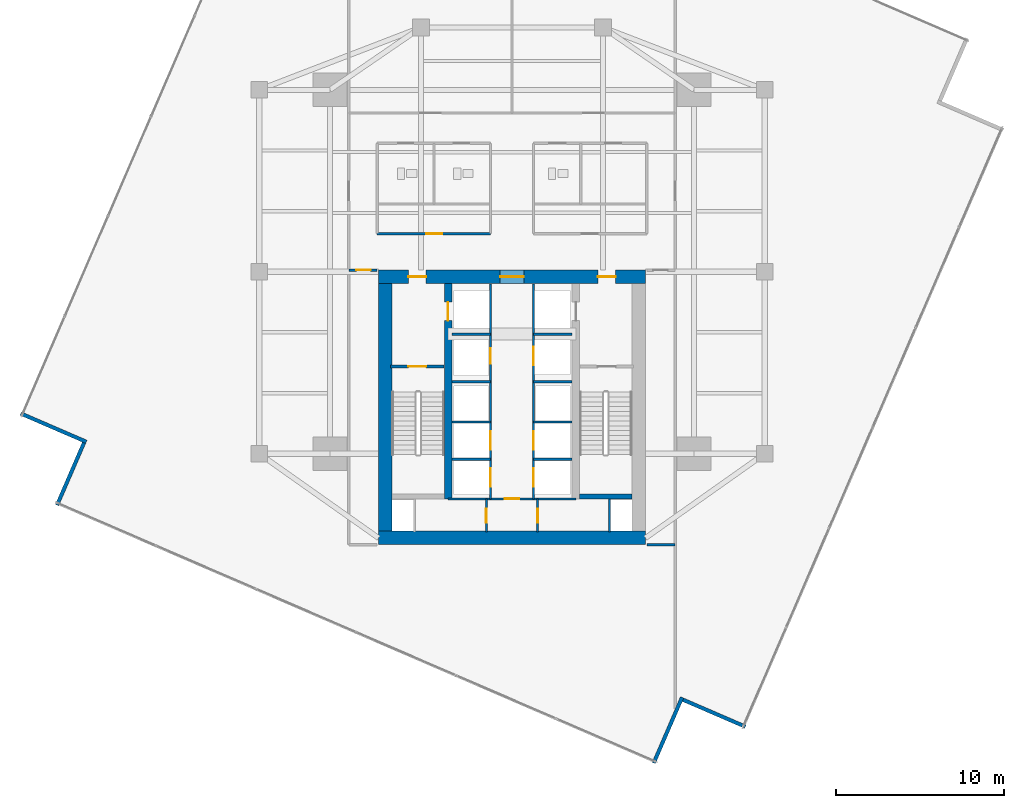
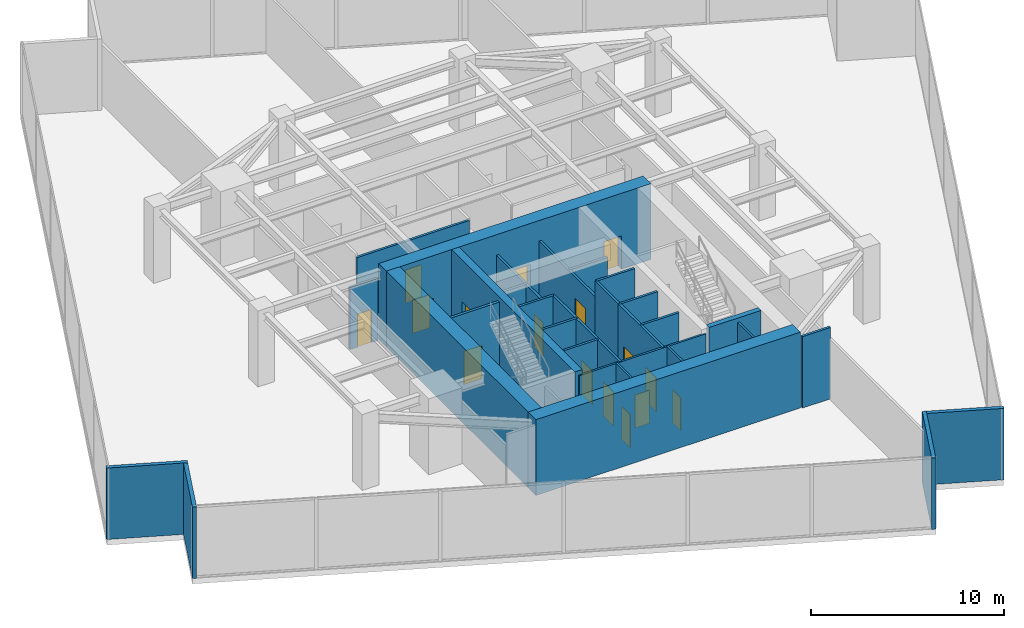
# One storey, part 21 of 24: 31 walls, 16 doors, 16 openings.
"""IFC4 building model written with IfcOpenShell, lengths in metres."""

from ifc_helpers import new_model, si_unit, direction, frame, frame_2d, origin, place, context, subcontext, project, spatial, rectangle, extrude, material, layer, layer_set, type_object, element, fill, save


model = new_model("IFC4")

# Units and contexts
model_context = context("Model", 3, precision=1e-05, world=origin(), true_north=direction((0.0, 1.0)))
body_context = subcontext(model_context, "Body", "Model", "MODEL_VIEW")
ifc_project = project(units=[si_unit("LENGTHUNIT", "METRE"), si_unit("AREAUNIT", "SQUARE_METRE"), si_unit("VOLUMEUNIT", "CUBIC_METRE"), si_unit("PLANEANGLEUNIT", "RADIAN"), si_unit("MASSUNIT", "GRAM", prefix="KILO")], contexts=[model_context])

# Site, building, storey
site_placement = place(None, origin())
site = spatial("IfcSite", under=ifc_project, at=site_placement, CompositionType="ELEMENT")
building_placement = place(site_placement, origin())
building = spatial("IfcBuilding", under=site, at=building_placement, Name="Krantzveldt Concourse Tower", CompositionType="ELEMENT")
storey_placement = place(building_placement, frame((0.0, 0.0, 141.39990234375)))
storey = spatial("IfcBuildingStorey", under=building, at=storey_placement, Name="L34", CompositionType="ELEMENT", Elevation=141.39990234375)

# Walls
ifc_material_1 = material(Name="Anodised aluminium 6063-T6", Category="aluminium")
ifc_layer_1 = layer(ifc_material_1, 0.219970703125, Name="Anodised aluminium 6063-T6", Category="aluminium")
ifc_layer_set_1 = layer_set([ifc_layer_1], Name="Anodised aluminium 6063-T6 (WL-EXT-NOTCH220)")
wall_type_1 = type_object("IfcWallType", Name="WL-EXT-NOTCH220", PredefinedType="ELEMENTEDWALL", material=ifc_layer_set_1)
wall_1_placement = place(storey_placement, frame((6.84423828125, 18.286865234375, 0.0), z_axis=(0.0, 0.0, 1.0), x_axis=(0.917941955088, -0.396714717511, 0.0)))
element("IfcWall", 1, at=wall_1_placement, inside=storey, type_object=wall_type_1, Name="EW-L34-NCH02", PredefinedType="ELEMENTEDWALL", context=body_context, shape_type="SweptSolid", body=[
    extrude(rectangle(XDim=4.2451171875, YDim=0.219970703125, at=frame_2d((2.12255859375, 0.0))), origin(), (0.0, 0.0, 1.0), 4.52001953125),
])
wall_2_placement = place(storey_placement, frame((10.59619140625, 16.54541015625, 0.0), z_axis=(0.0, 0.0, 1.0), x_axis=(-0.396757841424, -0.91792331666, 0.0)))
element("IfcWall", 2, at=wall_2_placement, inside=storey, type_object=wall_type_1, Name="EW-L34-NCH03", PredefinedType="ELEMENTEDWALL", context=body_context, shape_type="SweptSolid", body=[
    extrude(rectangle(XDim=4.02490234375, YDim=0.219970703125, at=frame_2d((2.012451171875, 0.0))), origin(), (0.0, 0.0, 1.0), 4.52001953125),
])
wall_3_placement = place(storey_placement, frame((44.4130859375, -2.455810546875, 0.0), z_axis=(0.0, 0.0, 1.0), x_axis=(0.396714717511, 0.917941955088, 0.0)))
element("IfcWall", 3, at=wall_3_placement, inside=storey, type_object=wall_type_1, Name="EW-L34-NCH05", PredefinedType="ELEMENTEDWALL", context=body_context, shape_type="SweptSolid", body=[
    extrude(rectangle(XDim=4.2451171875, YDim=0.219970703125, at=frame_2d((2.12255859375, 0.0))), origin(), (0.0, 0.0, 1.0), 4.52001953125),
])
wall_4_placement = place(storey_placement, frame((46.154541015625, 1.29638671875, 0.0), z_axis=(0.0, 0.0, 1.0), x_axis=(0.91792331666, -0.396757841424, 0.0)))
element("IfcWall", 4, at=wall_4_placement, inside=storey, type_object=wall_type_1, Name="EW-L34-NCH06", PredefinedType="ELEMENTEDWALL", context=body_context, shape_type="SweptSolid", body=[
    extrude(rectangle(XDim=4.02490234375, YDim=0.219970703125, at=frame_2d((2.012451171875, 0.0))), origin(), (0.0, 0.0, 1.0), 4.52001953125),
])

# Wall, opening, door
ifc_material_2 = material(Name="Fire-rated gypsum plasterboard on steel stud", Category="steel")
ifc_layer_2 = layer(ifc_material_2, 0.1201171875, Name="Fire-rated gypsum plasterboard on steel stud", Category="steel")
ifc_layer_set_2 = layer_set([ifc_layer_2], Name="Fire-rated gypsum plasterboard on steel stud (WL-PART-120)")
wall_type_2 = type_object("IfcWallType", Name="WL-PART-120", PredefinedType="PARTITIONING", material=ifc_layer_set_2)
wall_5_placement = place(storey_placement, frame((32.2099609375, 13.219970703125, 0.0), z_axis=(0.0, 0.0, 1.0), x_axis=(1.0, 0.0, 0.0)))
wall_5 = element("IfcWall", 5, at=wall_5_placement, inside=storey, type_object=wall_type_2, Name="WP-L34-CS2H", PredefinedType="PARTITIONING", context=body_context, shape_type="SweptSolid", body=[
    extrude(rectangle(XDim=7.580078125, YDim=0.1201171875, at=frame_2d((3.7900390625, 0.0))), origin(), (0.0, 0.0, 1.0), 4.52001953125),
])
opening_1_placement = place(wall_5_placement, frame((3.364990234375, 0.0, 0.0)))
opening_1 = element("IfcOpeningElement", 6, at=opening_1_placement, cuts=wall_5, Name="Opening D-IN085", PredefinedType="OPENING", context=body_context, shape_type="SweptSolid", body=[
    extrude(rectangle(XDim=0.85009765625, YDim=2.10009765625, at=frame_2d((0.425048828125, 1.050048828125))), frame((0.0, 0.070068359375, 0.0), z_axis=(0.0, -1.0, 0.0), x_axis=(1.0, 0.0, 0.0)), (0.0, 0.0, 1.0), 0.14013671875),
])
ifc_material_3 = material(Name="Hardwood timber", Category="wood")
door_type_1 = type_object("IfcDoorType", Name="DR-INT-850", OperationType="SINGLE_SWING_LEFT", PredefinedType="DOOR", material=ifc_material_3)
door_1_placement = place(opening_1_placement, origin())
door_1 = element("IfcDoor", 7, at=door_1_placement, inside=storey, type_object=door_type_1, Name="DR-L34-LLBS", OperationType="SINGLE_SWING_RIGHT", OverallHeight=2.10009765625, OverallWidth=0.85009765625, PredefinedType="DOOR", context=body_context, shape_type="SweptSolid", body=[
    extrude(rectangle(XDim=0.85009765625, YDim=2.10009765625, at=frame_2d((0.425048828125, 1.050048828125))), frame((0.0, 0.02490234375, 0.0), z_axis=(0.0, -1.0, 0.0), x_axis=(1.0, 0.0, 0.0)), (0.0, 0.0, 1.0), 0.050048828125),
])
fill(opening_1, door_1)

wall_6_placement = place(storey_placement, frame((34.47998046875, 11.25, 0.0), z_axis=(0.0, 0.0, 1.0), x_axis=(0.0, 1.0, 0.0)))
wall_6 = element("IfcWall", 8, at=wall_6_placement, inside=storey, type_object=wall_type_2, Name="WP-L34-CSB-VL", PredefinedType="PARTITIONING", context=body_context, shape_type="SweptSolid", body=[
    extrude(rectangle(XDim=1.969970703125, YDim=0.1201171875, at=frame_2d((0.98486328125, 0.0))), origin(), (0.0, 0.0, 1.0), 4.52001953125),
])
opening_2_placement = place(wall_6_placement, frame((0.544921875, 0.0, 0.0)))
opening_2 = element("IfcOpeningElement", 9, at=opening_2_placement, cuts=wall_6, Name="Opening D-IN085", PredefinedType="OPENING", context=body_context, shape_type="SweptSolid", body=[
    extrude(rectangle(XDim=0.85009765625, YDim=2.10009765625, at=frame_2d((0.425048828125, 1.050048828125))), frame((0.0, 0.070068359375, 0.0), z_axis=(0.0, -1.0, 0.0), x_axis=(1.0, 0.0, 0.0)), (0.0, 0.0, 1.0), 0.14013671875),
])
door_2_placement = place(opening_2_placement, origin())
door_2 = element("IfcDoor", 10, at=door_2_placement, inside=storey, type_object=door_type_1, Name="DR-L34-CSB1", OperationType="SINGLE_SWING_LEFT", OverallHeight=2.10009765625, OverallWidth=0.85009765625, PredefinedType="DOOR", context=body_context, shape_type="SweptSolid", body=[
    extrude(rectangle(XDim=0.85009765625, YDim=2.10009765625, at=frame_2d((0.425048828125, 1.050048828125))), frame((0.0, 0.02490234375, 0.0), z_axis=(0.0, -1.0, 0.0), x_axis=(1.0, 0.0, 0.0)), (0.0, 0.0, 1.0), 0.050048828125),
])
fill(opening_2, door_2)

wall_7_placement = place(storey_placement, frame((37.52001953125, 11.25, 0.0), z_axis=(0.0, 0.0, 1.0), x_axis=(0.0, 1.0, 0.0)))
wall_7 = element("IfcWall", 11, at=wall_7_placement, inside=storey, type_object=wall_type_2, Name="WP-L34-CSB-VR", PredefinedType="PARTITIONING", context=body_context, shape_type="SweptSolid", body=[
    extrude(rectangle(XDim=1.969970703125, YDim=0.1201171875, at=frame_2d((0.98486328125, 0.0))), origin(), (0.0, 0.0, 1.0), 4.52001953125),
])
opening_3_placement = place(wall_7_placement, frame((0.544921875, 0.0, 0.0)))
opening_3 = element("IfcOpeningElement", 12, at=opening_3_placement, cuts=wall_7, Name="Opening D-IN085", PredefinedType="OPENING", context=body_context, shape_type="SweptSolid", body=[
    extrude(rectangle(XDim=0.85009765625, YDim=2.10009765625, at=frame_2d((0.425048828125, 1.050048828125))), frame((0.0, 0.070068359375, 0.0), z_axis=(0.0, -1.0, 0.0), x_axis=(1.0, 0.0, 0.0)), (0.0, 0.0, 1.0), 0.14013671875),
])
door_3_placement = place(opening_3_placement, origin())
door_3 = element("IfcDoor", 13, at=door_3_placement, inside=storey, type_object=door_type_1, Name="DR-L34-CSB2", OperationType="SINGLE_SWING_RIGHT", OverallHeight=2.10009765625, OverallWidth=0.85009765625, PredefinedType="DOOR", context=body_context, shape_type="SweptSolid", body=[
    extrude(rectangle(XDim=0.85009765625, YDim=2.10009765625, at=frame_2d((0.425048828125, 1.050048828125))), frame((0.0, 0.02490234375, 0.0), z_axis=(0.0, -1.0, 0.0), x_axis=(1.0, 0.0, 0.0)), (0.0, 0.0, 1.0), 0.050048828125),
])
fill(opening_3, door_3)

ifc_layer_3 = layer(ifc_material_2, 0.139892578125, Name="Fire-rated gypsum plasterboard on steel stud", Category="steel")
ifc_layer_set_3 = layer_set([ifc_layer_3], Name="Fire-rated gypsum plasterboard on steel stud (WL-PART-140)")
wall_type_3 = type_object("IfcWallType", Name="WL-PART-140", PredefinedType="PARTITIONING", material=ifc_layer_set_3)
wall_8_placement = place(storey_placement, frame((28.0, 28.9599609375, 0.0), z_axis=(0.0, 0.0, 1.0), x_axis=(1.0, 0.0, 0.0)))
wall_8 = element("IfcWall", 14, at=wall_8_placement, inside=storey, type_object=wall_type_3, Name="WP-L34-SHL", PredefinedType="PARTITIONING", context=body_context, shape_type="SweptSolid", body=[
    extrude(rectangle(XDim=6.719970703125, YDim=0.139892578125, at=frame_2d((3.35986328125, 0.0))), origin(), (0.0, 0.0, 1.0), 3.93017578125),
])
opening_4_placement = place(wall_8_placement, frame((2.925048828125, 0.0, 0.0)))
opening_4 = element("IfcOpeningElement", 15, at=opening_4_placement, cuts=wall_8, Name="Opening D-IN095", PredefinedType="OPENING", context=body_context, shape_type="SweptSolid", body=[
    extrude(rectangle(XDim=0.949951171875, YDim=2.10009765625, at=frame_2d((0.47509765625, 1.050048828125))), frame((0.0, 0.080078125, 0.0), z_axis=(0.0, -1.0, 0.0), x_axis=(1.0, 0.0, 0.0)), (0.0, 0.0, 1.0), 0.159912109375),
])
door_type_2 = type_object("IfcDoorType", Name="DR-INT-950", OperationType="SINGLE_SWING_LEFT", PredefinedType="DOOR", material=ifc_material_3)
door_4_placement = place(opening_4_placement, origin())
door_4 = element("IfcDoor", 16, at=door_4_placement, inside=storey, type_object=door_type_2, Name="DR-L34-ALCW", OperationType="SINGLE_SWING_LEFT", OverallHeight=2.10009765625, OverallWidth=0.949951171875, PredefinedType="DOOR", context=body_context, shape_type="SweptSolid", body=[
    extrude(rectangle(XDim=0.949951171875, YDim=2.10009765625, at=frame_2d((0.47509765625, 1.050048828125))), frame((0.0, 0.02490234375, 0.0), z_axis=(0.0, -1.0, 0.0), x_axis=(1.0, 0.0, 0.0)), (0.0, 0.0, 1.0), 0.050048828125),
])
fill(opening_4, door_4)

wall_9_placement = place(storey_placement, frame((26.320068359375, 26.800048828125, 0.0), z_axis=(0.0, 0.0, 1.0), x_axis=(1.0, 0.0, 0.0)))
wall_9 = element("IfcWall", 17, at=wall_9_placement, inside=storey, type_object=wall_type_3, Name="WP-L34-CSW", PredefinedType="PARTITIONING", context=body_context, shape_type="SweptSolid", body=[
    extrude(rectangle(XDim=1.679931640625, YDim=0.139892578125, at=frame_2d((0.83984375, 0.0))), origin(), (0.0, 0.0, 1.0), 3.93017578125),
])
opening_5_placement = place(wall_9_placement, frame((0.445068359375, 0.0, 0.0)))
opening_5 = element("IfcOpeningElement", 18, at=opening_5_placement, cuts=wall_9, Name="Opening D-IN085", PredefinedType="OPENING", context=body_context, shape_type="SweptSolid", body=[
    extrude(rectangle(XDim=0.85009765625, YDim=2.10009765625, at=frame_2d((0.425048828125, 1.050048828125))), frame((0.0, 0.080078125, 0.0), z_axis=(0.0, -1.0, 0.0), x_axis=(1.0, 0.0, 0.0)), (0.0, 0.0, 1.0), 0.159912109375),
])
door_5_placement = place(opening_5_placement, origin())
door_5 = element("IfcDoor", 19, at=door_5_placement, inside=storey, type_object=door_type_1, Name="DR-L34-PKW", OperationType="SINGLE_SWING_LEFT", OverallHeight=2.10009765625, OverallWidth=0.85009765625, PredefinedType="DOOR", context=body_context, shape_type="SweptSolid", body=[
    extrude(rectangle(XDim=0.85009765625, YDim=2.10009765625, at=frame_2d((0.425048828125, 1.050048828125))), frame((0.0, 0.02490234375, 0.0), z_axis=(0.0, -1.0, 0.0), x_axis=(1.0, 0.0, 0.0)), (0.0, 0.0, 1.0), 0.050048828125),
])
fill(opening_5, door_5)

# Wall
wall_10_placement = place(storey_placement, frame((44.0, 10.5, 0.0), z_axis=(0.0, 0.0, 1.0), x_axis=(1.0, 0.0, 0.0)))
element("IfcWall", 20, at=wall_10_placement, inside=storey, type_object=wall_type_3, Name="WP-L34-SET", PredefinedType="PARTITIONING", context=body_context, shape_type="SweptSolid", body=[
    extrude(rectangle(XDim=1.679931640625, YDim=0.139892578125, at=frame_2d((0.83984375, 0.0))), origin(), (0.0, 0.0, 1.0), 4.52001953125),
])

# Wall, opening, door
ifc_layer_4 = layer(ifc_material_2, 0.139892578125, Name="Fire-rated gypsum plasterboard on steel stud", Category="steel")
ifc_layer_set_4 = layer_set([ifc_layer_4], Name="Fire-rated gypsum plasterboard on steel stud (WL-PART-FR140)")
wall_type_4 = type_object("IfcWallType", Name="WL-PART-FR140", PredefinedType="PARTITIONING", material=ifc_layer_set_4)
wall_11_placement = place(storey_placement, frame((34.719970703125, 20.199951171875, 0.0), z_axis=(0.0, 0.0, 1.0), x_axis=(0.0, 1.0, 0.0)))
wall_11 = element("IfcWall", 21, at=wall_11_placement, inside=storey, type_object=wall_type_4, Name="WP-L34-SHNW", PredefinedType="PARTITIONING", context=body_context, shape_type="SweptSolid", body=[
    extrude(rectangle(XDim=5.780029296875, YDim=0.139892578125, at=frame_2d((2.89013671875, 0.0))), origin(), (0.0, 0.0, 1.0), 3.52001953125),
])
opening_6_placement = place(wall_11_placement, frame((1.050048828125, 0.0, 0.0)))
opening_6 = element("IfcOpeningElement", 22, at=opening_6_placement, cuts=wall_11, Name="Opening D-FD090", PredefinedType="OPENING", context=body_context, shape_type="SweptSolid", body=[
    extrude(rectangle(XDim=0.89990234375, YDim=2.10009765625, at=frame_2d((0.449951171875, 1.050048828125))), frame((0.0, 0.080078125, 0.0), z_axis=(0.0, -1.0, 0.0), x_axis=(1.0, 0.0, 0.0)), (0.0, 0.0, 1.0), 0.159912109375),
])
door_type_3 = type_object("IfcDoorType", Name="DR-FD60-900", OperationType="SINGLE_SWING_LEFT", PredefinedType="DOOR", material=ifc_material_3)
door_6_placement = place(opening_6_placement, origin())
door_6 = element("IfcDoor", 23, at=door_6_placement, inside=storey, type_object=door_type_3, Name="Electrical Riser Access Door L34", OperationType="SINGLE_SWING_LEFT", OverallHeight=2.10009765625, OverallWidth=0.89990234375, PredefinedType="DOOR", context=body_context, shape_type="SweptSolid", body=[
    extrude(rectangle(XDim=0.89990234375, YDim=2.10009765625, at=frame_2d((0.449951171875, 1.050048828125))), frame((0.0, 0.02490234375, 0.0), z_axis=(0.0, -1.0, 0.0), x_axis=(1.0, 0.0, 0.0)), (0.0, 0.0, 1.0), 0.050048828125),
])
fill(opening_6, door_6)

wall_12_placement = place(storey_placement, frame((37.280029296875, 20.199951171875, 0.0), z_axis=(0.0, 0.0, 1.0), x_axis=(0.0, 1.0, 0.0)))
wall_12 = element("IfcWall", 24, at=wall_12_placement, inside=storey, type_object=wall_type_4, Name="WP-L34-SHNE", PredefinedType="PARTITIONING", context=body_context, shape_type="SweptSolid", body=[
    extrude(rectangle(XDim=5.780029296875, YDim=0.139892578125, at=frame_2d((2.89013671875, 0.0))), origin(), (0.0, 0.0, 1.0), 3.52001953125),
])
opening_7_placement = place(wall_12_placement, frame((0.949951171875, 0.0, 0.0)))
opening_7 = element("IfcOpeningElement", 25, at=opening_7_placement, cuts=wall_12, Name="Opening LD", PredefinedType="OPENING", context=body_context, shape_type="SweptSolid", body=[
    extrude(rectangle(XDim=1.10009765625, YDim=2.14990234375, at=frame_2d((0.550048828125, 1.074951171875))), frame((0.0, 0.080078125, 0.0), z_axis=(0.0, -1.0, 0.0), x_axis=(1.0, 0.0, 0.0)), (0.0, 0.0, 1.0), 0.159912109375),
])
ifc_material_4 = material(Name="Stainless steel 316L", Category="steel")
door_type_4 = type_object("IfcDoorType", Name="DR-SLIDE-LD1100", OperationType="DOUBLE_DOOR_SLIDING", PredefinedType="DOOR", material=ifc_material_4)
door_7_placement = place(opening_7_placement, origin())
door_7 = element("IfcDoor", 26, at=door_7_placement, inside=storey, type_object=door_type_4, Name="LD-L34-GL1", OperationType="DOUBLE_DOOR_SLIDING", OverallHeight=2.14990234375, OverallWidth=1.10009765625, PredefinedType="DOOR", context=body_context, shape_type="SweptSolid", body=[
    extrude(rectangle(XDim=1.10009765625, YDim=2.14990234375, at=frame_2d((0.550048828125, 1.074951171875))), frame((0.0, 0.02490234375, 0.0), z_axis=(0.0, -1.0, 0.0), x_axis=(1.0, 0.0, 0.0)), (0.0, 0.0, 1.0), 0.050048828125),
])
fill(opening_7, door_7)

# Walls
for number, where, z_axis, x_axis, name in (
    (27, (32.449951171875, 23.0, 0.0), (0.0, 0.0, 1.0), (1.0, 0.0, 0.0), "WP-L34-RISH"),
    (28, (37.280029296875, 23.0, 0.0), (0.0, 0.0, 1.0), (1.0, 0.0, 0.0), "WP-L34-GLH"),
):
    element("IfcWall", number, at=place(storey_placement, frame(where, z_axis=z_axis, x_axis=x_axis)), inside=storey, type_object=wall_type_4, Name=name, PredefinedType="PARTITIONING", context=body_context, shape_type="SweptSolid", body=[
        extrude(rectangle(XDim=2.27001953125, YDim=0.139892578125, at=frame_2d((1.135009765625, 0.0))), origin(), (0.0, 0.0, 1.0), 3.52001953125),
    ])
for number, where, z_axis, x_axis, name in (
    (29, (34.719970703125, 17.780029296875, 0.0), (0.0, 0.0, 1.0), (0.0, 1.0, 0.0), "WP-L34-SHNW2"),
    (30, (37.280029296875, 17.780029296875, 0.0), (0.0, 0.0, 1.0), (0.0, 1.0, 0.0), "WP-L34-SHNE2"),
):
    element("IfcWall", number, at=place(storey_placement, frame(where, z_axis=z_axis, x_axis=x_axis)), inside=storey, type_object=wall_type_4, Name=name, PredefinedType="PARTITIONING", context=body_context, shape_type="SweptSolid", body=[
        extrude(rectangle(XDim=2.419921875, YDim=0.139892578125, at=frame_2d((1.2099609375, 0.0))), origin(), (0.0, 0.0, 1.0), 4.52001953125),
    ])
for number, where, z_axis, x_axis, name in (
    (31, (32.449951171875, 17.780029296875, 0.0), (0.0, 0.0, 1.0), (1.0, 0.0, 0.0), "WP-L34-DIVW2"),
    (32, (32.449951171875, 20.179931640625, 0.0), (0.0, 0.0, 1.0), (1.0, 0.0, 0.0), "WP-L34-DIVW3"),
    (33, (37.280029296875, 17.780029296875, 0.0), (0.0, 0.0, 1.0), (1.0, 0.0, 0.0), "WP-L34-DIVE2"),
    (34, (37.280029296875, 20.179931640625, 0.0), (0.0, 0.0, 1.0), (1.0, 0.0, 0.0), "WP-L34-DIVE3"),
):
    element("IfcWall", number, at=place(storey_placement, frame(where, z_axis=z_axis, x_axis=x_axis)), inside=storey, type_object=wall_type_4, Name=name, PredefinedType="PARTITIONING", context=body_context, shape_type="SweptSolid", body=[
        extrude(rectangle(XDim=2.27001953125, YDim=0.139892578125, at=frame_2d((1.135009765625, 0.0))), origin(), (0.0, 0.0, 1.0), 4.52001953125),
    ])

# Wall, openings, doors
wall_13_placement = place(storey_placement, frame((34.719970703125, 13.219970703125, 0.0), z_axis=(0.0, 0.0, 1.0), x_axis=(0.0, 1.0, 0.0)))
wall_13 = element("IfcWall", 35, at=wall_13_placement, inside=storey, type_object=wall_type_4, Name="WP-L34-SHSW", PredefinedType="PARTITIONING", context=body_context, shape_type="SweptSolid", body=[
    extrude(rectangle(XDim=4.56005859375, YDim=0.139892578125, at=frame_2d((2.280029296875, 0.0))), origin(), (0.0, 0.0, 1.0), 4.52001953125),
])
opening_8_placement = place(wall_13_placement, frame((0.7099609375, 0.0, 0.0)))
opening_8 = element("IfcOpeningElement", 36, at=opening_8_placement, cuts=wall_13, Name="Opening LD", PredefinedType="OPENING", context=body_context, shape_type="SweptSolid", body=[
    extrude(rectangle(XDim=1.10009765625, YDim=2.14990234375, at=frame_2d((0.550048828125, 1.074951171875))), frame((0.0, 0.080078125, 0.0), z_axis=(0.0, -1.0, 0.0), x_axis=(1.0, 0.0, 0.0)), (0.0, 0.0, 1.0), 0.159912109375),
])
opening_9_placement = place(wall_13_placement, frame((2.909912109375, 0.0, 0.0)))
opening_9 = element("IfcOpeningElement", 37, at=opening_9_placement, cuts=wall_13, Name="Opening LD", PredefinedType="OPENING", context=body_context, shape_type="SweptSolid", body=[
    extrude(rectangle(XDim=1.10009765625, YDim=2.14990234375, at=frame_2d((0.550048828125, 1.074951171875))), frame((0.0, 0.080078125, 0.0), z_axis=(0.0, -1.0, 0.0), x_axis=(1.0, 0.0, 0.0)), (0.0, 0.0, 1.0), 0.159912109375),
])
door_8_placement = place(opening_8_placement, origin())
door_8 = element("IfcDoor", 38, at=door_8_placement, inside=storey, type_object=door_type_4, Name="LD-L34-PL1", OperationType="DOUBLE_DOOR_SLIDING", OverallHeight=2.14990234375, OverallWidth=1.10009765625, PredefinedType="DOOR", context=body_context, shape_type="SweptSolid", body=[
    extrude(rectangle(XDim=1.10009765625, YDim=2.14990234375, at=frame_2d((0.550048828125, 1.074951171875))), frame((0.0, 0.02490234375, 0.0), z_axis=(0.0, -1.0, 0.0), x_axis=(1.0, 0.0, 0.0)), (0.0, 0.0, 1.0), 0.050048828125),
])
fill(opening_8, door_8)
door_9_placement = place(opening_9_placement, origin())
door_9 = element("IfcDoor", 39, at=door_9_placement, inside=storey, type_object=door_type_4, Name="LD-L34-PL2", OperationType="DOUBLE_DOOR_SLIDING", OverallHeight=2.14990234375, OverallWidth=1.10009765625, PredefinedType="DOOR", context=body_context, shape_type="SweptSolid", body=[
    extrude(rectangle(XDim=1.10009765625, YDim=2.14990234375, at=frame_2d((0.550048828125, 1.074951171875))), frame((0.0, 0.02490234375, 0.0), z_axis=(0.0, -1.0, 0.0), x_axis=(1.0, 0.0, 0.0)), (0.0, 0.0, 1.0), 0.050048828125),
])
fill(opening_9, door_9)

# Wall
wall_14_placement = place(storey_placement, frame((32.449951171875, 15.580078125, 0.0), z_axis=(0.0, 0.0, 1.0), x_axis=(1.0, 0.0, 0.0)))
element("IfcWall", 40, at=wall_14_placement, inside=storey, type_object=wall_type_4, Name="WP-L34-DIVW1", PredefinedType="PARTITIONING", context=body_context, shape_type="SweptSolid", body=[
    extrude(rectangle(XDim=2.27001953125, YDim=0.139892578125, at=frame_2d((1.135009765625, 0.0))), origin(), (0.0, 0.0, 1.0), 4.52001953125),
])

# Wall, openings, doors
wall_15_placement = place(storey_placement, frame((37.280029296875, 13.219970703125, 0.0), z_axis=(0.0, 0.0, 1.0), x_axis=(0.0, 1.0, 0.0)))
wall_15 = element("IfcWall", 41, at=wall_15_placement, inside=storey, type_object=wall_type_4, Name="WP-L34-SHSE", PredefinedType="PARTITIONING", context=body_context, shape_type="SweptSolid", body=[
    extrude(rectangle(XDim=4.56005859375, YDim=0.139892578125, at=frame_2d((2.280029296875, 0.0))), origin(), (0.0, 0.0, 1.0), 4.52001953125),
])
opening_10_placement = place(wall_15_placement, frame((0.7099609375, 0.0, 0.0)))
opening_10 = element("IfcOpeningElement", 42, at=opening_10_placement, cuts=wall_15, Name="Opening LD", PredefinedType="OPENING", context=body_context, shape_type="SweptSolid", body=[
    extrude(rectangle(XDim=1.10009765625, YDim=2.14990234375, at=frame_2d((0.550048828125, 1.074951171875))), frame((0.0, 0.080078125, 0.0), z_axis=(0.0, -1.0, 0.0), x_axis=(1.0, 0.0, 0.0)), (0.0, 0.0, 1.0), 0.159912109375),
])
opening_11_placement = place(wall_15_placement, frame((2.909912109375, 0.0, 0.0)))
opening_11 = element("IfcOpeningElement", 43, at=opening_11_placement, cuts=wall_15, Name="Opening LD", PredefinedType="OPENING", context=body_context, shape_type="SweptSolid", body=[
    extrude(rectangle(XDim=1.10009765625, YDim=2.14990234375, at=frame_2d((0.550048828125, 1.074951171875))), frame((0.0, 0.080078125, 0.0), z_axis=(0.0, -1.0, 0.0), x_axis=(1.0, 0.0, 0.0)), (0.0, 0.0, 1.0), 0.159912109375),
])
door_10_placement = place(opening_10_placement, origin())
door_10 = element("IfcDoor", 44, at=door_10_placement, inside=storey, type_object=door_type_4, Name="LD-L34-PM1", OperationType="DOUBLE_DOOR_SLIDING", OverallHeight=2.14990234375, OverallWidth=1.10009765625, PredefinedType="DOOR", context=body_context, shape_type="SweptSolid", body=[
    extrude(rectangle(XDim=1.10009765625, YDim=2.14990234375, at=frame_2d((0.550048828125, 1.074951171875))), frame((0.0, 0.02490234375, 0.0), z_axis=(0.0, -1.0, 0.0), x_axis=(1.0, 0.0, 0.0)), (0.0, 0.0, 1.0), 0.050048828125),
])
fill(opening_10, door_10)
door_11_placement = place(opening_11_placement, origin())
door_11 = element("IfcDoor", 45, at=door_11_placement, inside=storey, type_object=door_type_4, Name="LD-L34-PM2", OperationType="DOUBLE_DOOR_SLIDING", OverallHeight=2.14990234375, OverallWidth=1.10009765625, PredefinedType="DOOR", context=body_context, shape_type="SweptSolid", body=[
    extrude(rectangle(XDim=1.10009765625, YDim=2.14990234375, at=frame_2d((0.550048828125, 1.074951171875))), frame((0.0, 0.02490234375, 0.0), z_axis=(0.0, -1.0, 0.0), x_axis=(1.0, 0.0, 0.0)), (0.0, 0.0, 1.0), 0.050048828125),
])
fill(opening_11, door_11)

# Walls
wall_16_placement = place(storey_placement, frame((37.280029296875, 15.580078125, 0.0), z_axis=(0.0, 0.0, 1.0), x_axis=(1.0, 0.0, 0.0)))
element("IfcWall", 46, at=wall_16_placement, inside=storey, type_object=wall_type_4, Name="WP-L34-DIVE1", PredefinedType="PARTITIONING", context=body_context, shape_type="SweptSolid", body=[
    extrude(rectangle(XDim=2.27001953125, YDim=0.139892578125, at=frame_2d((1.135009765625, 0.0))), origin(), (0.0, 0.0, 1.0), 4.52001953125),
])
wall_17_placement = place(storey_placement, frame((41.780029296875, 11.25, 0.0), z_axis=(0.0, 0.0, 1.0), x_axis=(0.0, 1.0, 0.0)))
element("IfcWall", 47, at=wall_17_placement, inside=storey, type_object=wall_type_4, Name="WP-L34-RSE", PredefinedType="PARTITIONING", context=body_context, shape_type="SweptSolid", body=[
    extrude(rectangle(XDim=1.969970703125, YDim=0.1201171875, at=frame_2d((0.98486328125, 0.0))), origin(), (0.0, 0.0, 1.0), 4.52001953125),
])

# Wall, opening, door
ifc_layer_5 = layer(ifc_material_2, 0.159912109375, Name="Fire-rated gypsum plasterboard on steel stud", Category="steel")
ifc_layer_set_5 = layer_set([ifc_layer_5], Name="Fire-rated gypsum plasterboard on steel stud (WL-PART-FR160)")
wall_type_5 = type_object("IfcWallType", Name="WL-PART-FR160", PredefinedType="PARTITIONING", material=ifc_layer_set_5)
wall_18_placement = place(storey_placement, frame((28.800048828125, 21.080078125, 0.0), z_axis=(0.0, 0.0, 1.0), x_axis=(1.0, 0.0, 0.0)))
wall_18 = element("IfcWall", 48, at=wall_18_placement, inside=storey, type_object=wall_type_5, Name="WP-L34-ST1", PredefinedType="PARTITIONING", context=body_context, shape_type="SweptSolid", body=[
    extrude(rectangle(XDim=3.159912109375, YDim=0.159912109375, at=frame_2d((1.580078125, 0.0))), origin(), (0.0, 0.0, 1.0), 4.52001953125),
])
opening_12_placement = place(wall_18_placement, frame((1.054931640625, 0.0, 0.0)))
opening_12 = element("IfcOpeningElement", 49, at=opening_12_placement, cuts=wall_18, Name="Opening D-FD105", PredefinedType="OPENING", context=body_context, shape_type="SweptSolid", body=[
    extrude(rectangle(XDim=1.050048828125, YDim=2.10009765625, at=frame_2d((0.52490234375, 1.050048828125))), frame((0.0, 0.08984375, 0.0), z_axis=(0.0, -1.0, 0.0), x_axis=(1.0, 0.0, 0.0)), (0.0, 0.0, 1.0), 0.179931640625),
])
ifc_material_5 = material(Name="Galvanised steel", Category="steel")
door_type_5 = type_object("IfcDoorType", Name="DR-FD120-1050", OperationType="SINGLE_SWING_LEFT", PredefinedType="DOOR", material=ifc_material_5)
door_12_placement = place(opening_12_placement, origin())
door_12 = element("IfcDoor", 50, at=door_12_placement, inside=storey, type_object=door_type_5, Name="DR-L34-ST1", OperationType="SINGLE_SWING_RIGHT", OverallHeight=2.10009765625, OverallWidth=1.050048828125, PredefinedType="DOOR", context=body_context, shape_type="SweptSolid", body=[
    extrude(rectangle(XDim=1.050048828125, YDim=2.10009765625, at=frame_2d((0.52490234375, 1.050048828125))), frame((0.0, 0.02490234375, 0.0), z_axis=(0.0, -1.0, 0.0), x_axis=(1.0, 0.0, 0.0)), (0.0, 0.0, 1.0), 0.050048828125),
])
fill(opening_12, door_12)

# Wall
ifc_material_6 = material(Name="Concrete C50/60", Category="concrete")
ifc_layer_6 = layer(ifc_material_6, 0.300048828125, Name="Concrete C50/60", Category="concrete")
ifc_layer_set_6 = layer_set([ifc_layer_6], Name="Concrete C50/60 (WL-SHEAR-300)")
wall_type_6 = type_object("IfcWallType", Name="WL-SHEAR-300", PredefinedType="SHEAR", material=ifc_layer_set_6)
wall_19_placement = place(storey_placement, frame((40.02001953125, 13.3701171875, 0.0), z_axis=(0.0, 0.0, 1.0), x_axis=(1.0, 0.0, 0.0)))
element("IfcWall", 51, at=wall_19_placement, inside=storey, type_object=wall_type_6, Name="CW-L34-ST2S", PredefinedType="SHEAR", context=body_context, shape_type="SweptSolid", body=[
    extrude(rectangle(XDim=3.10009765625, YDim=0.300048828125, at=frame_2d((1.550048828125, 0.0))), origin(), (0.0, 0.0, 1.0), 4.800048828125),
])

# Wall, opening, door
ifc_layer_7 = layer(ifc_material_6, 0.449951171875, Name="Concrete C50/60", Category="concrete")
ifc_layer_set_7 = layer_set([ifc_layer_7], Name="Concrete C50/60 (WL-SHEAR-450)")
wall_type_7 = type_object("IfcWallType", Name="WL-SHEAR-450", PredefinedType="SHEAR", material=ifc_layer_set_7)
wall_20_placement = place(storey_placement, frame((32.205078125, 13.219970703125, 0.0), z_axis=(0.0, 0.0, 1.0), x_axis=(0.0, 1.0, 0.0)))
wall_20 = element("IfcWall", 52, at=wall_20_placement, inside=storey, type_object=wall_type_7, Name="CW-L34-IW", PredefinedType="SHEAR", context=body_context, shape_type="SweptSolid", body=[
    extrude(rectangle(XDim=12.780029296875, YDim=0.449951171875, at=frame_2d((6.39013671875, 0.0))), origin(), (0.0, 0.0, 1.0), 4.800048828125),
])
opening_13_placement = place(wall_20_placement, frame((10.580078125, 0.0, 0.0)))
opening_13 = element("IfcOpeningElement", 53, at=opening_13_placement, cuts=wall_20, Name="Opening LD", PredefinedType="OPENING", context=body_context, shape_type="SweptSolid", body=[
    extrude(rectangle(XDim=1.10009765625, YDim=2.14990234375, at=frame_2d((0.550048828125, 1.074951171875))), frame((0.0, 0.23486328125, 0.0), z_axis=(0.0, -1.0, 0.0), x_axis=(1.0, 0.0, 0.0)), (0.0, 0.0, 1.0), 0.469970703125),
])
door_13_placement = place(opening_13_placement, origin())
door_13 = element("IfcDoor", 54, at=door_13_placement, inside=storey, type_object=door_type_4, Name="LD-L34-FL1", OperationType="DOUBLE_DOOR_SLIDING", OverallHeight=2.14990234375, OverallWidth=1.10009765625, PredefinedType="DOOR", context=body_context, shape_type="SweptSolid", body=[
    extrude(rectangle(XDim=1.10009765625, YDim=2.14990234375, at=frame_2d((0.550048828125, 1.074951171875))), frame((0.0, 0.02490234375, 0.0), z_axis=(0.0, -1.0, 0.0), x_axis=(1.0, 0.0, 0.0)), (0.0, 0.0, 1.0), 0.050048828125),
])
fill(opening_13, door_13)

# Wall
ifc_material_7 = material(Name="Concrete C60/75", Category="concrete")
ifc_layer_8 = layer(ifc_material_7, 0.800048828125, Name="Concrete C60/75", Category="concrete")
ifc_layer_set_8 = layer_set([ifc_layer_8], Name="Concrete C60/75 (WL-SHEAR-800)")
wall_type_8 = type_object("IfcWallType", Name="WL-SHEAR-800", PredefinedType="SHEAR", material=ifc_layer_set_8)
wall_21_placement = place(storey_placement, frame((28.080078125, 10.89990234375, 0.0), z_axis=(0.0, 0.0, 1.0), x_axis=(1.0, 0.0, 0.0)))
element("IfcWall", 55, at=wall_21_placement, inside=storey, type_object=wall_type_8, Name="CW-L34-S", PredefinedType="SHEAR", context=body_context, shape_type="SweptSolid", body=[
    extrude(rectangle(XDim=15.83984375, YDim=0.800048828125, at=frame_2d((7.919921875, 0.0))), origin(), (0.0, 0.0, 1.0), 4.800048828125),
])

# Wall, openings, doors
wall_22_placement = place(storey_placement, frame((28.080078125, 26.39990234375, 0.0), z_axis=(0.0, 0.0, 1.0), x_axis=(1.0, 0.0, 0.0)))
wall_22 = element("IfcWall", 56, at=wall_22_placement, inside=storey, type_object=wall_type_8, Name="CW-L34-N", PredefinedType="SHEAR", context=body_context, shape_type="SweptSolid", body=[
    extrude(rectangle(XDim=15.83984375, YDim=0.800048828125, at=frame_2d((7.919921875, 0.0))), origin(), (0.0, 0.0, 1.0), 4.800048828125),
])
opening_14_placement = place(wall_22_placement, frame((7.219970703125, 0.0, 0.0)))
opening_14 = element("IfcOpeningElement", 57, at=opening_14_placement, cuts=wall_22, Name="Opening D-DB140", PredefinedType="OPENING", context=body_context, shape_type="SweptSolid", body=[
    extrude(rectangle(XDim=1.39990234375, YDim=2.199951171875, at=frame_2d((0.699951171875, 1.10009765625))), frame((0.0, 0.41015625, 0.0), z_axis=(0.0, -1.0, 0.0), x_axis=(1.0, 0.0, 0.0)), (0.0, 0.0, 1.0), 0.820068359375),
])
opening_15_placement = place(wall_22_placement, frame((1.77490234375, 0.0, 0.0)))
opening_15 = element("IfcOpeningElement", 58, at=opening_15_placement, cuts=wall_22, Name="Opening D-FD105", PredefinedType="OPENING", context=body_context, shape_type="SweptSolid", body=[
    extrude(rectangle(XDim=1.050048828125, YDim=2.10009765625, at=frame_2d((0.52490234375, 1.050048828125))), frame((0.0, 0.41015625, 0.0), z_axis=(0.0, -1.0, 0.0), x_axis=(1.0, 0.0, 0.0)), (0.0, 0.0, 1.0), 0.820068359375),
])
opening_16_placement = place(wall_22_placement, frame((13.014892578125, 0.0, 0.0)))
opening_16 = element("IfcOpeningElement", 59, at=opening_16_placement, cuts=wall_22, Name="Opening D-FD105", PredefinedType="OPENING", context=body_context, shape_type="SweptSolid", body=[
    extrude(rectangle(XDim=1.050048828125, YDim=2.10009765625, at=frame_2d((0.52490234375, 1.050048828125))), frame((0.0, 0.41015625, 0.0), z_axis=(0.0, -1.0, 0.0), x_axis=(1.0, 0.0, 0.0)), (0.0, 0.0, 1.0), 0.820068359375),
])
door_type_6 = type_object("IfcDoorType", Name="DR-DBL-1400", OperationType="DOUBLE_DOOR_SINGLE_SWING", PredefinedType="DOOR", material=ifc_material_1)
door_14_placement = place(opening_14_placement, origin())
door_14 = element("IfcDoor", 60, at=door_14_placement, inside=storey, type_object=door_type_6, Name="DR-L34-LLB", OperationType="DOUBLE_DOOR_SINGLE_SWING", OverallHeight=2.199951171875, OverallWidth=1.39990234375, PredefinedType="DOOR", context=body_context, shape_type="SweptSolid", body=[
    extrude(rectangle(XDim=1.39990234375, YDim=2.199951171875, at=frame_2d((0.699951171875, 1.10009765625))), frame((0.0, 0.02490234375, 0.0), z_axis=(0.0, -1.0, 0.0), x_axis=(1.0, 0.0, 0.0)), (0.0, 0.0, 1.0), 0.050048828125),
])
fill(opening_14, door_14)
door_15_placement = place(opening_15_placement, origin())
door_15 = element("IfcDoor", 61, at=door_15_placement, inside=storey, type_object=door_type_5, Name="DR-L34-FFL1", OperationType="SINGLE_SWING_LEFT", OverallHeight=2.10009765625, OverallWidth=1.050048828125, PredefinedType="DOOR", context=body_context, shape_type="SweptSolid", body=[
    extrude(rectangle(XDim=1.050048828125, YDim=2.10009765625, at=frame_2d((0.52490234375, 1.050048828125))), frame((0.0, 0.02490234375, 0.0), z_axis=(0.0, -1.0, 0.0), x_axis=(1.0, 0.0, 0.0)), (0.0, 0.0, 1.0), 0.050048828125),
])
fill(opening_15, door_15)
door_16_placement = place(opening_16_placement, origin())
door_16 = element("IfcDoor", 62, at=door_16_placement, inside=storey, type_object=door_type_5, Name="DR-L34-FFL2", OperationType="SINGLE_SWING_RIGHT", OverallHeight=2.10009765625, OverallWidth=1.050048828125, PredefinedType="DOOR", context=body_context, shape_type="SweptSolid", body=[
    extrude(rectangle(XDim=1.050048828125, YDim=2.10009765625, at=frame_2d((0.52490234375, 1.050048828125))), frame((0.0, 0.02490234375, 0.0), z_axis=(0.0, -1.0, 0.0), x_axis=(1.0, 0.0, 0.0)), (0.0, 0.0, 1.0), 0.050048828125),
])
fill(opening_16, door_16)

# Wall
wall_23_placement = place(storey_placement, frame((28.47998046875, 11.300048828125, 0.0), z_axis=(0.0, 0.0, 1.0), x_axis=(0.0, 1.0, 0.0)))
element("IfcWall", 63, at=wall_23_placement, inside=storey, type_object=wall_type_8, Name="CW-L34-W", PredefinedType="SHEAR", context=body_context, shape_type="SweptSolid", body=[
    extrude(rectangle(XDim=14.699951171875, YDim=0.800048828125, at=frame_2d((7.35009765625, 0.0))), origin(), (0.0, 0.0, 1.0), 4.800048828125),
])

save(model, "model.ifc")
